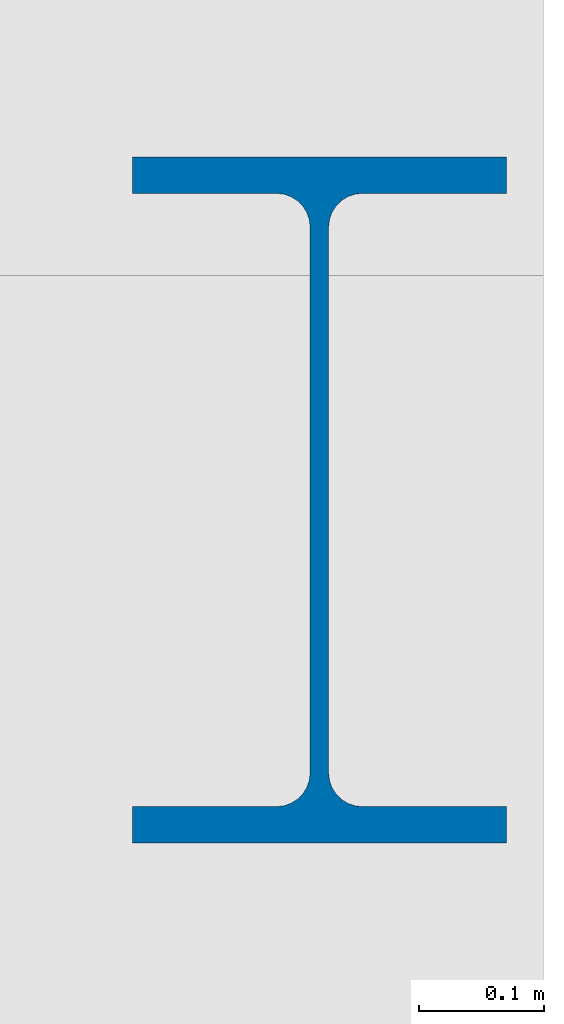
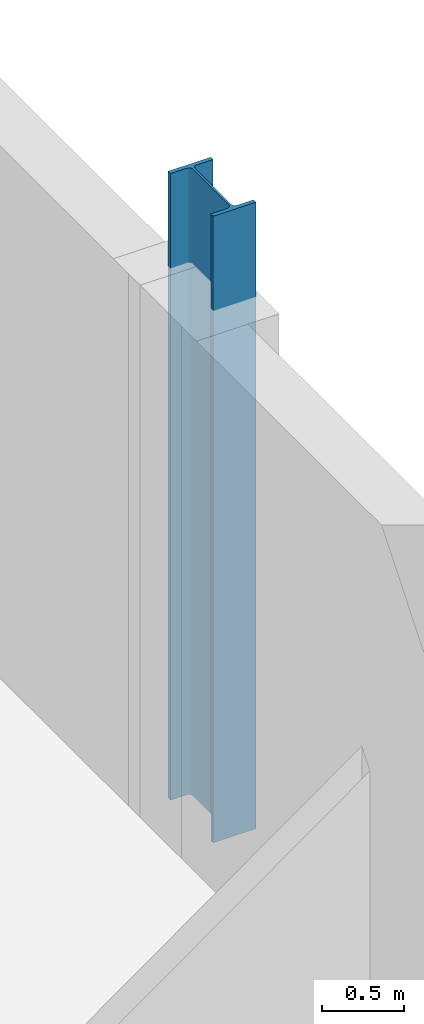
# One storey, part 21 of 98: 1 column.
"""IFC4 building model written with IfcOpenShell, lengths in metres."""

import ifcopenshell
import ifcopenshell.guid

model = None  # the IFC model being written
_history = None  # IfcOwnerHistory: only IFC2X3 demands one
_inside = {}  # id of a spatial element -> (the spatial element, [elements in it])
_under = {}  # id of a project, library or spatial element -> (it, [spatial elements below it])
_declared = {}  # id of a project -> (the project, [libraries it declares])
_typed = {}  # id of a type object -> (the type object, [elements of that type])
_made_of = {}  # id of a material, layer set ... -> (it, [elements and type objects made of it])


def new_model(schema):
    """Start an empty IFC model of exactly this schema.

    Asked for "IFC4X3", IfcOpenShell would pick the latest addendum, in which some entities
    have other attributes; the version numbers below select the first issue.
    IFC2X3 requires an IfcOwnerHistory on every rooted entity: one is made here for all.
    """
    global model, _history
    if schema == "IFC4X3":
        model = ifcopenshell.file(schema_version=(4, 3, 0, 0))
    else:
        model = ifcopenshell.file(schema=schema)
    _inside.clear()
    _under.clear()
    _declared.clear()
    _typed.clear()
    _made_of.clear()
    _history = None
    if model.schema == "IFC2X3":
        org = make("IfcOrganization", Name="unknown")
        user = make(
            "IfcPersonAndOrganization",
            ThePerson=make("IfcPerson", FamilyName="unknown"),
            TheOrganization=org,
        )
        app = make(
            "IfcApplication",
            ApplicationDeveloper=org,
            Version="unknown",
            ApplicationFullName="unknown",
            ApplicationIdentifier="unknown",
        )
        _history = make(
            "IfcOwnerHistory",
            OwningUser=user,
            OwningApplication=app,
            ChangeAction="ADDED",
            CreationDate=0,
        )
    return model


def make(cls, **values):
    """One entity of the class cls with the attributes given. An attribute that is None is left unset."""
    return model.create_entity(
        cls, **{name: value for name, value in values.items() if value is not None}
    )


def rooted(cls, **values):
    """An entity with a GlobalId (a new one), such as an element, a storey or a relation."""
    return make(cls, GlobalId=ifcopenshell.guid.new(), OwnerHistory=_history, **values)


def si_unit(unit_type, name, prefix=None):
    """IfcSIUnit, for example si_unit("LENGTHUNIT", "METRE", prefix="MILLI")."""
    return make("IfcSIUnit", UnitType=unit_type, Prefix=prefix, Name=name)


def assignment(units):
    """IfcUnitAssignment: the units of a project."""
    return None if units is None else make("IfcUnitAssignment", Units=units)


def point(xyz):
    """IfcCartesianPoint."""
    return None if xyz is None else make("IfcCartesianPoint", Coordinates=xyz)


def direction(xyz):
    """IfcDirection."""
    return None if xyz is None else make("IfcDirection", DirectionRatios=xyz)


def frame(location, z_axis=None, x_axis=None):
    """IfcAxis2Placement3D, a coordinate frame: its origin and axes. An axis left out is left unset."""
    return make(
        "IfcAxis2Placement3D",
        Location=point(location),
        Axis=direction(z_axis),
        RefDirection=direction(x_axis),
    )


def frame_2d(location, x_axis=None):
    """IfcAxis2Placement2D, a coordinate frame in the plane: its origin and x axis."""
    return make(
        "IfcAxis2Placement2D", Location=point(location), RefDirection=direction(x_axis)
    )


def origin():
    """The frame at (0, 0, 0) with its axes left unset."""
    return frame((0.0, 0.0, 0.0))


def origin_2d():
    """The frame at (0, 0) in the plane with its x axis left unset."""
    return frame_2d((0.0, 0.0))


def place(relative_to, where):
    """IfcLocalPlacement: puts the frame where relative to a parent placement (None: the world)."""
    return make(
        "IfcLocalPlacement", PlacementRelTo=relative_to, RelativePlacement=where
    )


def context(
    kind, dimensions, precision=None, world=None, true_north=None, identifier=None
):
    """IfcGeometricRepresentationContext, for example the 3D "Model" context."""
    return make(
        "IfcGeometricRepresentationContext",
        ContextIdentifier=identifier,
        ContextType=kind,
        CoordinateSpaceDimension=dimensions,
        Precision=precision,
        WorldCoordinateSystem=world,
        TrueNorth=true_north,
    )


def subcontext(parent, identifier, kind, view, scale=None):
    """IfcGeometricRepresentationSubContext, for example "Body" below "Model"."""
    return make(
        "IfcGeometricRepresentationSubContext",
        ContextIdentifier=identifier,
        ContextType=kind,
        ParentContext=parent,
        TargetScale=scale,
        TargetView=view,
    )


def project(units=None, contexts=None):
    """IfcProject with its units and contexts."""
    return rooted(
        "IfcProject",
        Name="project",
        RepresentationContexts=contexts,
        UnitsInContext=assignment(units),
    )


def spatial(cls, under=None, at=None, **own):
    """A site, building, storey or space (cls), placed at a placement, below another one or the project."""
    s = rooted(cls, ObjectPlacement=at, **own)
    if under is not None:
        _under.setdefault(under.id(), (under, []))[1].append(s)
    return s


def profile(cls, at=None, kind="AREA", **sizes):
    """A parametric profile (cls). Its sizes go by their IFC names, for example OverallWidth=200.0."""
    return make(cls, ProfileType=kind, Position=at, **sizes)


def i_section(**sizes):
    """IfcIShapeProfileDef."""
    return profile("IfcIShapeProfileDef", **sizes)


def extrude(swept, where, along, depth):
    """IfcExtrudedAreaSolid: the profile swept, set in the frame where, extruded along a direction by depth."""
    return make(
        "IfcExtrudedAreaSolid",
        SweptArea=swept,
        Position=where,
        ExtrudedDirection=direction(along),
        Depth=depth,
    )


def shape(context_of_items, identifier, shape_type, items):
    """IfcShapeRepresentation: the items that make up one representation, for example the "Body"."""
    return make(
        "IfcShapeRepresentation",
        ContextOfItems=context_of_items,
        RepresentationIdentifier=identifier,
        RepresentationType=shape_type,
        Items=items,
    )


def material(Name=None, Category=None):
    """IfcMaterial."""
    return make("IfcMaterial", Name=Name, Category=Category)


def material_profile(
    of_material, cross_section, Name=None, Category=None, Priority=None
):
    """IfcMaterialProfile: a cross section and its material."""
    return make(
        "IfcMaterialProfile",
        Name=Name,
        Material=of_material,
        Profile=cross_section,
        Priority=Priority,
        Category=Category,
    )


def profile_set(profiles, Name=None, composite=None):
    """IfcMaterialProfileSet."""
    return make(
        "IfcMaterialProfileSet",
        Name=Name,
        MaterialProfiles=profiles,
        CompositeProfile=composite,
    )


def made_of(thing, what):
    """Note that an element or type object is made of a material, layer set ...; save() writes the relation."""
    if what is not None:
        _made_of.setdefault(what.id(), (what, []))[1].append(thing)
    return thing


def type_object(cls, material=None, **own):
    """A type object (cls), such as IfcWallType, which elements share."""
    return made_of(rooted(cls, **own), material)


def element(
    cls,
    number,
    at=None,
    inside=None,
    cuts=None,
    type_object=None,
    material=None,
    context=None,
    identifier="Body",
    shape_type=None,
    held_by="IfcProductDefinitionShape",
    body=None,
    shapes=None,
    **own,
):
    """One element of the class cls, such as IfcWall. Its Tag is "e" and its number.

    at: its placement. inside: the storey or other place that contains it. cuts: it is an
    opening in that element (IfcRelVoidsElement). A single representation is given by context,
    identifier, shape_type and body (its items); several are given by shapes. held_by: the class
    of the entity that holds the representations. save() writes the other relations.
    """
    e = rooted(cls, Tag="e%d" % number, ObjectPlacement=at, **own)
    if body is not None:
        shapes = [shape(context, identifier, shape_type, body)]
    if shapes is not None:
        e.Representation = make(held_by, Representations=shapes)
    if inside is not None:
        _inside.setdefault(inside.id(), (inside, []))[1].append(e)
    if cuts is not None:
        rooted(
            "IfcRelVoidsElement", RelatingBuildingElement=cuts, RelatedOpeningElement=e
        )
    if type_object is not None:
        _typed.setdefault(type_object.id(), (type_object, []))[1].append(e)
    return made_of(e, material)


def aggregate(whole, parts):
    """IfcRelAggregates: a whole, such as a stair, and the parts it consists of."""
    return rooted("IfcRelAggregates", RelatingObject=whole, RelatedObjects=parts)


def save(model, path):
    """Write the relations noted so far, then the file.

    IfcRelAggregates (storeys below a building ...), IfcRelContainedInSpatialStructure (elements
    in a storey), IfcRelDefinesByType, IfcRelAssociatesMaterial and IfcRelDeclares: one each for
    every whole, place, type object, material and project.
    """
    for whole, parts in _under.values():
        aggregate(whole, parts)
    for where, things in _inside.values():
        rooted(
            "IfcRelContainedInSpatialStructure",
            RelatedElements=things,
            RelatingStructure=where,
        )
    for kind, things in _typed.values():
        rooted("IfcRelDefinesByType", RelatedObjects=things, RelatingType=kind)
    for what, things in _made_of.values():
        rooted("IfcRelAssociatesMaterial", RelatedObjects=things, RelatingMaterial=what)
    for by, libraries in _declared.values():
        rooted("IfcRelDeclares", RelatingContext=by, RelatedDefinitions=libraries)
    model.write(path)


model = new_model("IFC4")

# Units and contexts
model_context = context("Model", 3, precision=1e-05, world=origin(), true_north=direction((0.0, 1.0)))
body_context = subcontext(model_context, "Body", "Model", "MODEL_VIEW")
ifc_project = project(units=[si_unit("LENGTHUNIT", "METRE"), si_unit("AREAUNIT", "SQUARE_METRE"), si_unit("VOLUMEUNIT", "CUBIC_METRE"), si_unit("PLANEANGLEUNIT", "RADIAN"), si_unit("MASSUNIT", "GRAM", prefix="KILO")], contexts=[model_context])

# Site, building, storey
site_placement = place(None, origin())
site = spatial("IfcSite", under=ifc_project, at=site_placement, CompositionType="ELEMENT")
building_placement = place(site_placement, origin())
building = spatial("IfcBuilding", under=site, at=building_placement, Name="Nabrawat Pavilion Hospital", CompositionType="ELEMENT")
storey_placement = place(building_placement, frame((0.0, 0.0, 10.199951171875)))
storey = spatial("IfcBuildingStorey", under=building, at=storey_placement, Name="L02", CompositionType="ELEMENT", Elevation=10.199951171875)

# Column
ifc_material = material(Name="Steel S355", Category="steel")
ifc_material_profile = material_profile(ifc_material, i_section(OverallWidth=0.300048828125, OverallDepth=0.550048828125, WebThickness=0.014892578125, FlangeThickness=0.029052734375, FilletRadius=0.027099609375, at=origin_2d()), Name="HEB 550")
ifc_profile_set = profile_set([ifc_material_profile], Name="Steel S355")
column_type = type_object("IfcColumnType", Name="Composite Steel Column HEB 550", PredefinedType="COLUMN", material=ifc_profile_set)
column_placement = place(storey_placement, frame((193.199951171875, 117.0, 0.0), z_axis=(0.0, 0.0, 1.0), x_axis=(1.0, 0.0, 0.0)))
element("IfcColumn", 1, at=column_placement, inside=storey, type_object=column_type, Name="L02 Structural Column G-24-R", PredefinedType="COLUMN", context=body_context, shape_type="SweptSolid", body=[
    extrude(i_section(OverallWidth=0.300048828125, OverallDepth=0.550048828125, WebThickness=0.014892578125, FlangeThickness=0.029052734375, FilletRadius=0.027099609375, at=origin_2d()), origin(), (0.0, 0.0, 1.0), 4.650146484375),
])

save(model, "model.ifc")
